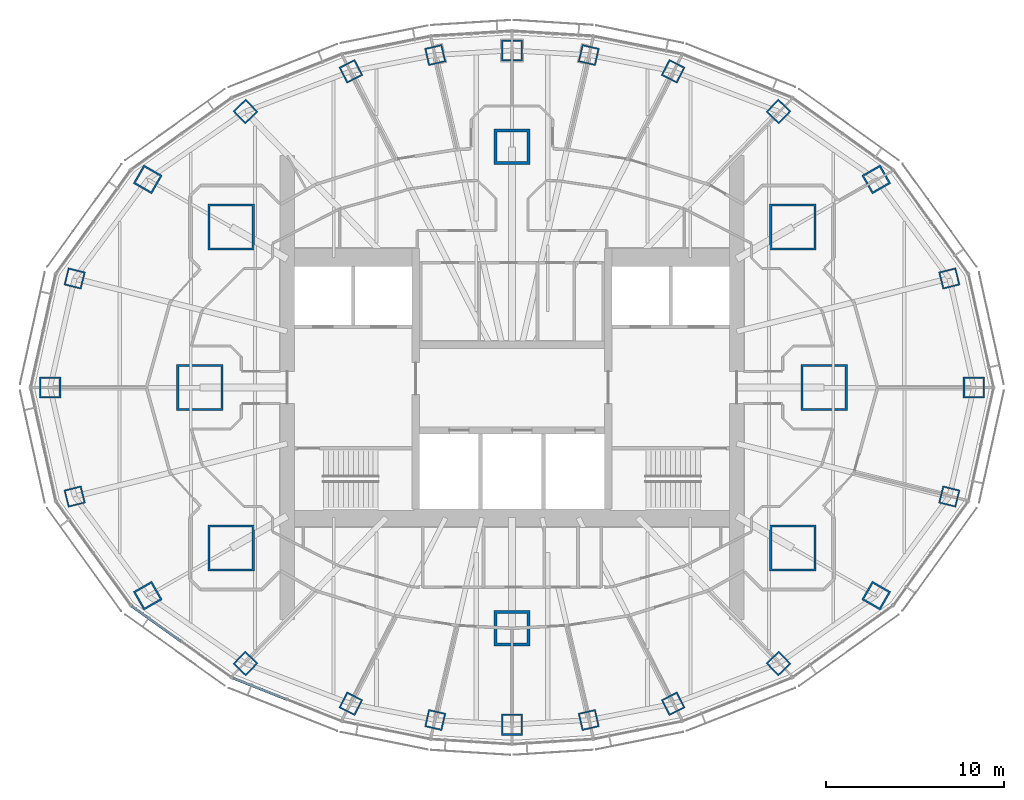
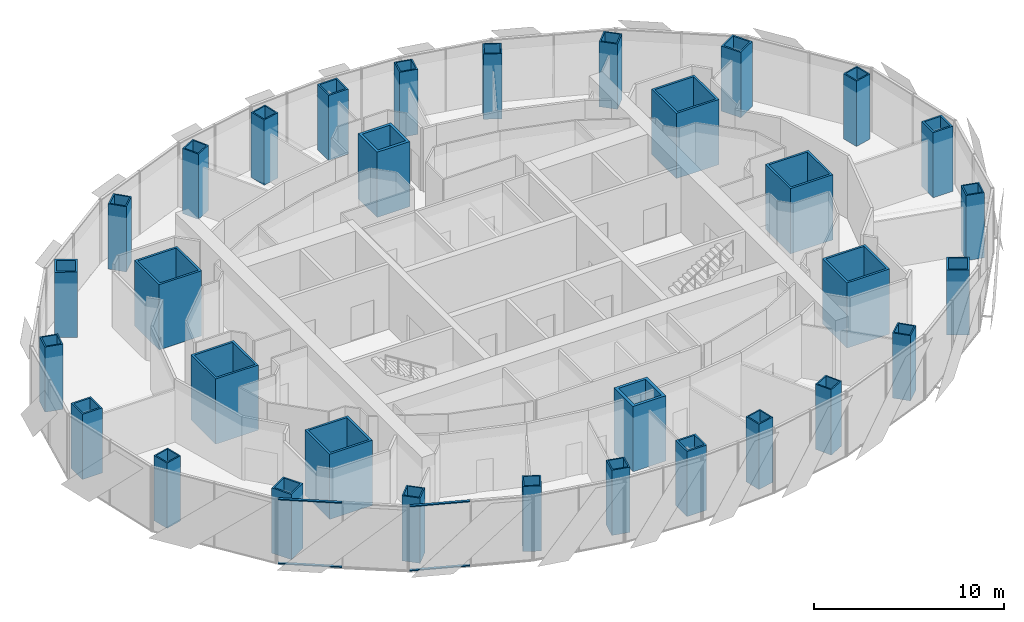
# One storey, part 1 of 18: 32 columns, 4 members, 2 elements without a shape of their own.
"""IFC4 building model written with IfcOpenShell, lengths in metres."""

from ifc_helpers import new_model, si_unit, direction, frame, origin, origin_2d, place, context, subcontext, project, spatial, rectangle, hollow_rectangle, extrude, material, material_profile, profile_set, type_object, element, aggregate, save


model = new_model("IFC4")

# Units and contexts
model_context = context("Model", 3, precision=1e-05, world=origin(), true_north=direction((0.0, 1.0)))
body_context = subcontext(model_context, "Body", "Model", "MODEL_VIEW")
ifc_project = project(units=[si_unit("LENGTHUNIT", "METRE"), si_unit("AREAUNIT", "SQUARE_METRE"), si_unit("VOLUMEUNIT", "CUBIC_METRE"), si_unit("PLANEANGLEUNIT", "RADIAN"), si_unit("MASSUNIT", "GRAM", prefix="KILO")], contexts=[model_context])

# Site, building, storey
site_placement = place(None, origin())
site = spatial("IfcSite", under=ifc_project, at=site_placement, CompositionType="ELEMENT")
building_placement = place(site_placement, origin())
building = spatial("IfcBuilding", under=site, at=building_placement, Name="Lantaw Convention Tower", CompositionType="ELEMENT")
storey_placement = place(building_placement, frame((0.0, 0.0, 236.800048828125)))
storey = spatial("IfcBuildingStorey", under=building, at=storey_placement, Name="L55", CompositionType="ELEMENT", Elevation=236.800048828125)

# Columns
ifc_material_1 = material(Name="Steel EN 10025-3 S460N", Category="steel")
ifc_material_profile_1 = material_profile(ifc_material_1, hollow_rectangle(XDim=2.0, YDim=2.0, WallThickness=0.169921875, at=origin_2d()), Name="BOX2000X170")
ifc_material_2 = material(Name="Concrete C60/75", Category="concrete")
ifc_material_profile_2 = material_profile(ifc_material_2, rectangle(XDim=1.659912109375, YDim=1.659912109375, at=origin_2d()), Name="Concrete fill of BOX2000X170")
ifc_profile_set_1 = profile_set([ifc_material_profile_1, ifc_material_profile_2], Name="Steel EN 10025-3 S460N")
column_type_1 = type_object("IfcColumnType", Name="Column MC BOX2000X170", PredefinedType="COLUMN", material=ifc_profile_set_1)
for number, where, z_axis, x_axis, name in (
    (1, (0.0, 13.5, 0.0), (0.0, 0.0, 1.0), (1.0, 0.0, 0.0), "Mega column M3"),
    (2, (0.0, -13.5, 0.0), (0.0, 0.0, 1.0), (1.0, 0.0, 0.0), "Mega column M7"),
):
    element("IfcColumn", number, at=place(storey_placement, frame(where, z_axis=z_axis, x_axis=x_axis)), inside=storey, type_object=column_type_1, Name=name, PredefinedType="COLUMN", context=body_context, shape_type="SweptSolid", body=[
        extrude(hollow_rectangle(XDim=2.0, YDim=2.0, WallThickness=0.169921875, at=origin_2d()), origin(), (0.0, 0.0, 1.0), 4.199951171875),
    ])
ifc_material_profile_3 = material_profile(ifc_material_1, hollow_rectangle(XDim=2.60009765625, YDim=2.60009765625, WallThickness=0.1298828125, at=origin_2d()), Name="BOX2600X130")
ifc_material_profile_4 = material_profile(ifc_material_2, rectangle(XDim=2.340087890625, YDim=2.340087890625, at=origin_2d()), Name="Concrete fill of BOX2600X130")
ifc_profile_set_2 = profile_set([ifc_material_profile_3, ifc_material_profile_4], Name="Steel EN 10025-3 S460N")
column_type_2 = type_object("IfcColumnType", Name="Column MC BOX2600X130", PredefinedType="COLUMN", material=ifc_profile_set_2)
for number, where, z_axis, x_axis, name in (
    (3, (17.5, 0.0, 0.0), (0.0, 0.0, 1.0), (1.0, 0.0, 0.0), "Mega column M1"),
    (4, (15.75, 9.0, 0.0), (0.0, 0.0, 1.0), (1.0, 0.0, 0.0), "Mega column M2"),
    (5, (-15.75, 9.0, 0.0), (0.0, 0.0, 1.0), (1.0, 0.0, 0.0), "Mega column M4"),
    (6, (-17.5, 0.0, 0.0), (0.0, 0.0, 1.0), (1.0, 0.0, 0.0), "Mega column M5"),
    (7, (-15.75, -9.0, 0.0), (0.0, 0.0, 1.0), (1.0, 0.0, 0.0), "Mega column M6"),
    (8, (15.75, -9.0, 0.0), (0.0, 0.0, 1.0), (1.0, 0.0, 0.0), "Mega column M8"),
):
    element("IfcColumn", number, at=place(storey_placement, frame(where, z_axis=z_axis, x_axis=x_axis)), inside=storey, type_object=column_type_2, Name=name, PredefinedType="COLUMN", context=body_context, shape_type="SweptSolid", body=[
        extrude(hollow_rectangle(XDim=2.60009765625, YDim=2.60009765625, WallThickness=0.1298828125, at=origin_2d()), origin(), (0.0, 0.0, 1.0), 4.199951171875),
    ])
ifc_material_3 = material(Name="Steel ASTM A572 Grade 50", Category="steel")
ifc_material_profile_5 = material_profile(ifc_material_3, hollow_rectangle(XDim=1.0, YDim=1.0, WallThickness=0.080078125, at=origin_2d()), Name="BOX1000X80")
ifc_material_profile_6 = material_profile(ifc_material_2, rectangle(XDim=0.840087890625, YDim=0.840087890625, at=origin_2d()), Name="Concrete fill of BOX1000X80")
ifc_profile_set_3 = profile_set([ifc_material_profile_5, ifc_material_profile_6], Name="Steel ASTM A572 Grade 50")
column_type_3 = type_object("IfcColumnType", Name="Column PC BOX1000X80", PredefinedType="COLUMN", material=ifc_profile_set_3)
for number, where, z_axis, x_axis, name in (
    (9, (24.52197265625, 6.114013671875, 0.0), (0.0, 0.0, 1.0), (0.970295726276, 0.2419218956, 0.0), "Perimeter column P2"),
    (10, (14.9443359375, 15.475341796875, 0.0), (0.0, 0.0, 1.0), (0.694658370459, 0.719339800339, 0.0), "Perimeter column P4"),
    (11, (9.03466796875, 17.7314453125, 0.0), (0.0, 0.0, 1.0), (0.45399049974, 0.891006524188, 0.0), "Perimeter column P5"),
    (12, (4.303955078125, 18.64208984375, 0.0), (0.0, 0.0, 1.0), (0.224951054344, 0.974370064785, 0.0), "Perimeter column P6"),
    (13, (-4.303955078125, 18.64208984375, 0.0), (0.0, 0.0, 1.0), (0.974370064785, 0.224951054344, 0.0), "Perimeter column P8"),
    (14, (-9.03466796875, 17.7314453125, 0.0), (0.0, 0.0, 1.0), (0.891006524188, 0.45399049974, 0.0), "Perimeter column P9"),
    (15, (-14.9443359375, 15.475341796875, 0.0), (0.0, 0.0, 1.0), (0.719339800339, 0.694658370459, 0.0), "Perimeter column P10"),
    (16, (-24.52197265625, 6.114013671875, 0.0), (0.0, 0.0, 1.0), (0.2419218956, 0.970295726276, 0.0), "Perimeter column P12"),
    (17, (-24.52197265625, -6.114013671875, 0.0), (0.0, 0.0, 1.0), (0.970295726276, 0.2419218956, 0.0), "Perimeter column P14"),
    (18, (-14.9443359375, -15.475341796875, 0.0), (0.0, 0.0, 1.0), (0.694658370459, 0.719339800339, 0.0), "Perimeter column P16"),
    (19, (-9.03466796875, -17.7314453125, 0.0), (0.0, 0.0, 1.0), (0.45399049974, 0.891006524188, 0.0), "Perimeter column P17"),
    (20, (-4.303955078125, -18.64208984375, 0.0), (0.0, 0.0, 1.0), (0.224951054344, 0.974370064785, 0.0), "Perimeter column P18"),
    (21, (4.303955078125, -18.64208984375, 0.0), (0.0, 0.0, 1.0), (0.974370064785, 0.224951054344, 0.0), "Perimeter column P20"),
    (22, (9.03466796875, -17.7314453125, 0.0), (0.0, 0.0, 1.0), (0.891006524188, 0.45399049974, 0.0), "Perimeter column P21"),
    (23, (14.9443359375, -15.475341796875, 0.0), (0.0, 0.0, 1.0), (0.719339800339, 0.694658370459, 0.0), "Perimeter column P22"),
    (24, (24.52197265625, -6.114013671875, 0.0), (0.0, 0.0, 1.0), (0.2419218956, 0.970295726276, 0.0), "Perimeter column P24"),
):
    element("IfcColumn", number, at=place(storey_placement, frame(where, z_axis=z_axis, x_axis=x_axis)), inside=storey, type_object=column_type_3, Name=name, PredefinedType="COLUMN", context=body_context, shape_type="SweptSolid", body=[
        extrude(hollow_rectangle(XDim=1.0, YDim=1.0, WallThickness=0.080078125, at=origin_2d()), origin(), (0.0, 0.0, 1.0), 4.199951171875),
    ])
ifc_material_profile_7 = material_profile(ifc_material_1, hollow_rectangle(XDim=1.199951171875, YDim=1.199951171875, WallThickness=0.10009765625, at=origin_2d()), Name="BOX1200X100")
ifc_material_profile_8 = material_profile(ifc_material_2, rectangle(XDim=1.0, YDim=1.0, at=origin_2d()), Name="Concrete fill of BOX1200X100")
ifc_profile_set_4 = profile_set([ifc_material_profile_7, ifc_material_profile_8], Name="Steel EN 10025-3 S460N")
column_type_4 = type_object("IfcColumnType", Name="Column PC BOX1200X100", PredefinedType="COLUMN", material=ifc_profile_set_4)
for number, where, z_axis, x_axis, name in (
    (25, (25.89990234375, 0.0, 0.0), (0.0, 0.0, 1.0), (1.0, 0.0, 0.0), "Perimeter column P1"),
    (26, (20.423095703125, 11.67041015625, 0.0), (0.0, 0.0, 1.0), (0.86824298017, 0.496139221777, 0.0), "Perimeter column P3"),
    (27, (0.0, 18.89990234375, 0.0), (0.0, 0.0, 1.0), (1.0, 0.0, 0.0), "Perimeter column P7"),
    (28, (-20.423095703125, 11.67041015625, 0.0), (0.0, 0.0, 1.0), (0.496139221777, 0.86824298017, 0.0), "Perimeter column P11"),
    (29, (-25.89990234375, 0.0, 0.0), (0.0, 0.0, 1.0), (1.0, 0.0, 0.0), "Perimeter column P13"),
    (30, (-20.423095703125, -11.67041015625, 0.0), (0.0, 0.0, 1.0), (0.86824298017, 0.496139221777, 0.0), "Perimeter column P15"),
    (31, (0.0, -18.89990234375, 0.0), (0.0, 0.0, 1.0), (1.0, 0.0, 0.0), "Perimeter column P19"),
    (32, (20.423095703125, -11.67041015625, 0.0), (0.0, 0.0, 1.0), (0.496139221777, 0.86824298017, 0.0), "Perimeter column P23"),
):
    element("IfcColumn", number, at=place(storey_placement, frame(where, z_axis=z_axis, x_axis=x_axis)), inside=storey, type_object=column_type_4, Name=name, PredefinedType="COLUMN", context=body_context, shape_type="SweptSolid", body=[
        extrude(hollow_rectangle(XDim=1.199951171875, YDim=1.199951171875, WallThickness=0.10009765625, at=origin_2d()), origin(), (0.0, 0.0, 1.0), 4.199951171875),
    ])

# Curtain wall, members
ifc_material_4 = material(Name="Aluminium framed curtain wall", Category="aluminium")
curtain_wall_type = type_object("IfcCurtainWallType", Name="Office curtain wall high rise, pale aluminium", PredefinedType="USERDEFINED", material=ifc_material_4)
curtain_wall_1_placement = place(storey_placement, origin())
curtain_wall_1 = element("IfcCurtainWall", 33, at=curtain_wall_1_placement, inside=storey, type_object=curtain_wall_type, Name="Office curtain wall high rise, pale aluminium L55", ObjectType="UNITISED CURTAIN WALL", PredefinedType="USERDEFINED")
ifc_material_5 = material(Name="Aluminium 6063-T6", Category="aluminium")
ifc_material_profile_9 = material_profile(ifc_material_5, rectangle(XDim=0.14990234375, YDim=0.06494140625, at=origin_2d()), Name="CW-O2 transom 65x150")
ifc_profile_set_5 = profile_set([ifc_material_profile_9], Name="Aluminium 6063-T6")
member_type = type_object("IfcMemberType", Name="CW-O2 transom 65x150", PredefinedType="USERDEFINED", material=ifc_profile_set_5)
member_1_placement = place(storey_placement, frame((-21.3251953125, -12.25390625, -0.117431640625), z_axis=(0.813679882592, -0.581313210468, 0.0), x_axis=(0.581313210468, 0.813679882592, 0.0)))
member_1 = element("IfcMember", 34, at=member_1_placement, type_object=member_type, Name="CW-O2 transom 1.1", ObjectType="TRANSOM", PredefinedType="USERDEFINED", context=body_context, shape_type="SweptSolid", body=[
    extrude(rectangle(XDim=0.14990234375, YDim=0.06494140625, at=origin_2d()), origin(), (0.0, 0.0, 1.0), 3.38623046875),
])
member_2_placement = place(storey_placement, frame((-21.3251953125, -12.25390625, 4.017333984375), z_axis=(0.813679882592, -0.581313210468, 0.0), x_axis=(0.581313210468, 0.813679882592, 0.0)))
member_2 = element("IfcMember", 35, at=member_2_placement, type_object=member_type, Name="CW-O2 transom 1.2", ObjectType="TRANSOM", PredefinedType="USERDEFINED", context=body_context, shape_type="SweptSolid", body=[
    extrude(rectangle(XDim=0.14990234375, YDim=0.06494140625, at=origin_2d()), origin(), (0.0, 0.0, 1.0), 3.38623046875),
])
aggregate(curtain_wall_1, [member_1, member_2])

curtain_wall_2_placement = place(storey_placement, origin())
curtain_wall_2 = element("IfcCurtainWall", 36, at=curtain_wall_2_placement, inside=storey, type_object=curtain_wall_type, Name="Office curtain wall high rise, pale aluminium L55", ObjectType="UNITISED CURTAIN WALL", PredefinedType="USERDEFINED")
member_3_placement = place(storey_placement, frame((-15.648193359375, -16.29052734375, -0.117431640625), z_axis=(0.929740712354, -0.368214893495, 0.0), x_axis=(0.368214893495, 0.929740712354, 0.0)))
member_3 = element("IfcMember", 37, at=member_3_placement, type_object=member_type, Name="CW-O2 transom 1.1", ObjectType="TRANSOM", PredefinedType="USERDEFINED", context=body_context, shape_type="SweptSolid", body=[
    extrude(rectangle(XDim=0.14990234375, YDim=0.06494140625, at=origin_2d()), origin(), (0.0, 0.0, 1.0), 3.22314453125),
])
member_4_placement = place(storey_placement, frame((-15.648193359375, -16.29052734375, 4.017333984375), z_axis=(0.929740712354, -0.368214893495, 0.0), x_axis=(0.368214893495, 0.929740712354, 0.0)))
member_4 = element("IfcMember", 38, at=member_4_placement, type_object=member_type, Name="CW-O2 transom 1.2", ObjectType="TRANSOM", PredefinedType="USERDEFINED", context=body_context, shape_type="SweptSolid", body=[
    extrude(rectangle(XDim=0.14990234375, YDim=0.06494140625, at=origin_2d()), origin(), (0.0, 0.0, 1.0), 3.22314453125),
])
aggregate(curtain_wall_2, [member_3, member_4])

save(model, "model.ifc")
